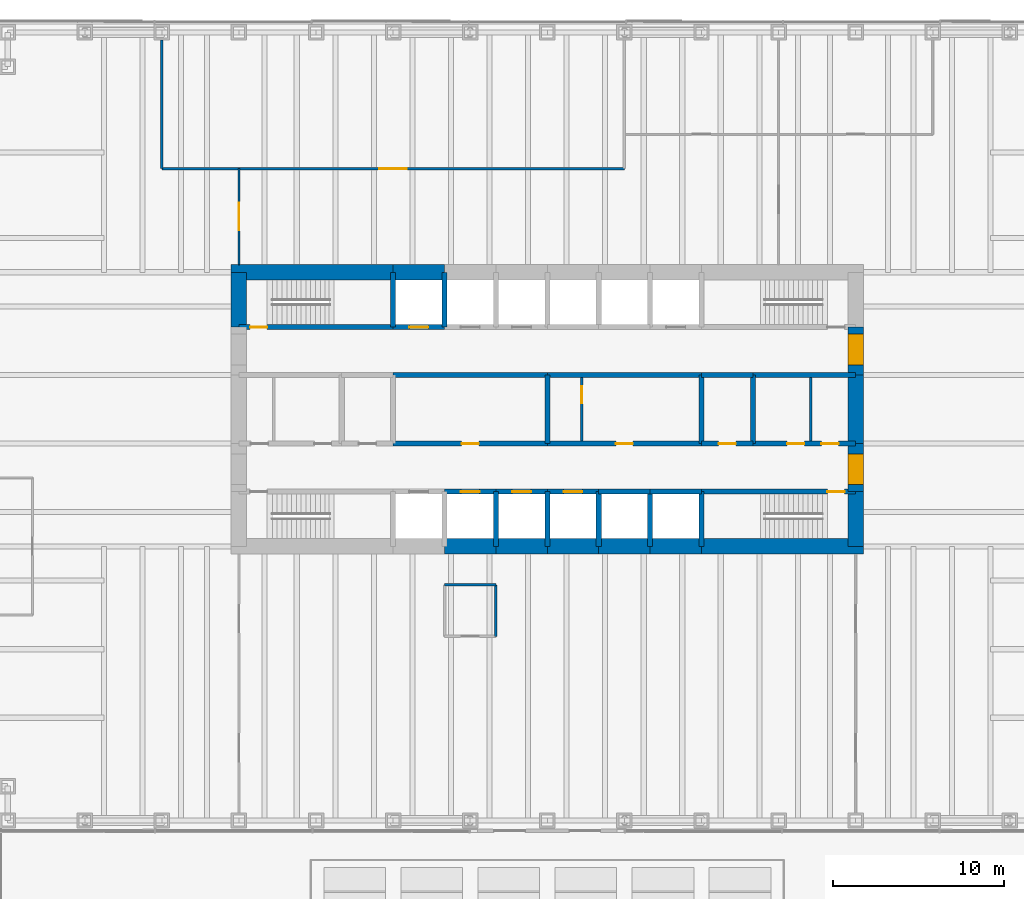
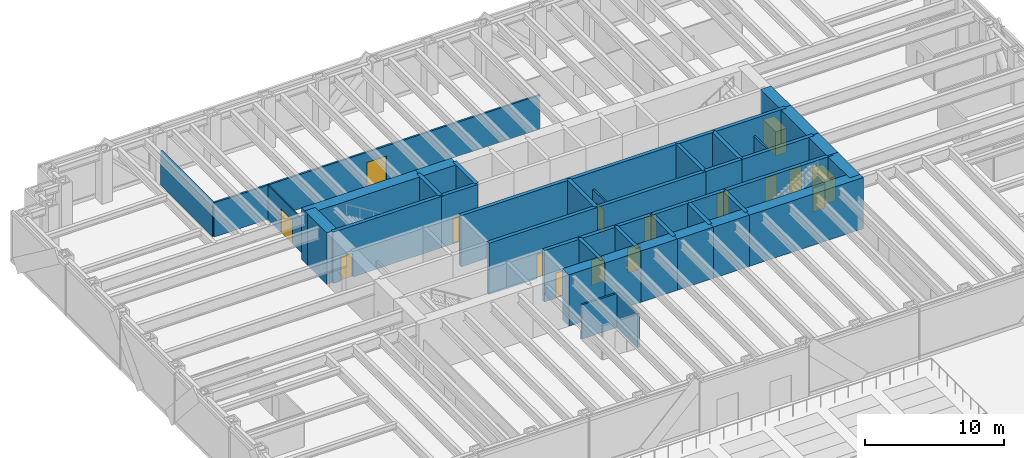
# One storey, part 12 of 15: 46 walls, 16 doors, 16 openings.
"""IFC4 building model written with IfcOpenShell, lengths in metres."""

import ifcopenshell
import ifcopenshell.guid

model = None  # the IFC model being written
_history = None  # IfcOwnerHistory: only IFC2X3 demands one
_inside = {}  # id of a spatial element -> (the spatial element, [elements in it])
_under = {}  # id of a project, library or spatial element -> (it, [spatial elements below it])
_declared = {}  # id of a project -> (the project, [libraries it declares])
_typed = {}  # id of a type object -> (the type object, [elements of that type])
_made_of = {}  # id of a material, layer set ... -> (it, [elements and type objects made of it])


def new_model(schema):
    """Start an empty IFC model of exactly this schema.

    Asked for "IFC4X3", IfcOpenShell would pick the latest addendum, in which some entities
    have other attributes; the version numbers below select the first issue.
    IFC2X3 requires an IfcOwnerHistory on every rooted entity: one is made here for all.
    """
    global model, _history
    if schema == "IFC4X3":
        model = ifcopenshell.file(schema_version=(4, 3, 0, 0))
    else:
        model = ifcopenshell.file(schema=schema)
    _inside.clear()
    _under.clear()
    _declared.clear()
    _typed.clear()
    _made_of.clear()
    _history = None
    if model.schema == "IFC2X3":
        org = make("IfcOrganization", Name="unknown")
        user = make(
            "IfcPersonAndOrganization",
            ThePerson=make("IfcPerson", FamilyName="unknown"),
            TheOrganization=org,
        )
        app = make(
            "IfcApplication",
            ApplicationDeveloper=org,
            Version="unknown",
            ApplicationFullName="unknown",
            ApplicationIdentifier="unknown",
        )
        _history = make(
            "IfcOwnerHistory",
            OwningUser=user,
            OwningApplication=app,
            ChangeAction="ADDED",
            CreationDate=0,
        )
    return model


def make(cls, **values):
    """One entity of the class cls with the attributes given. An attribute that is None is left unset."""
    return model.create_entity(
        cls, **{name: value for name, value in values.items() if value is not None}
    )


def rooted(cls, **values):
    """An entity with a GlobalId (a new one), such as an element, a storey or a relation."""
    return make(cls, GlobalId=ifcopenshell.guid.new(), OwnerHistory=_history, **values)


def si_unit(unit_type, name, prefix=None):
    """IfcSIUnit, for example si_unit("LENGTHUNIT", "METRE", prefix="MILLI")."""
    return make("IfcSIUnit", UnitType=unit_type, Prefix=prefix, Name=name)


def assignment(units):
    """IfcUnitAssignment: the units of a project."""
    return None if units is None else make("IfcUnitAssignment", Units=units)


def point(xyz):
    """IfcCartesianPoint."""
    return None if xyz is None else make("IfcCartesianPoint", Coordinates=xyz)


def direction(xyz):
    """IfcDirection."""
    return None if xyz is None else make("IfcDirection", DirectionRatios=xyz)


def frame(location, z_axis=None, x_axis=None):
    """IfcAxis2Placement3D, a coordinate frame: its origin and axes. An axis left out is left unset."""
    return make(
        "IfcAxis2Placement3D",
        Location=point(location),
        Axis=direction(z_axis),
        RefDirection=direction(x_axis),
    )


def frame_2d(location, x_axis=None):
    """IfcAxis2Placement2D, a coordinate frame in the plane: its origin and x axis."""
    return make(
        "IfcAxis2Placement2D", Location=point(location), RefDirection=direction(x_axis)
    )


def origin():
    """The frame at (0, 0, 0) with its axes left unset."""
    return frame((0.0, 0.0, 0.0))


def place(relative_to, where):
    """IfcLocalPlacement: puts the frame where relative to a parent placement (None: the world)."""
    return make(
        "IfcLocalPlacement", PlacementRelTo=relative_to, RelativePlacement=where
    )


def context(
    kind, dimensions, precision=None, world=None, true_north=None, identifier=None
):
    """IfcGeometricRepresentationContext, for example the 3D "Model" context."""
    return make(
        "IfcGeometricRepresentationContext",
        ContextIdentifier=identifier,
        ContextType=kind,
        CoordinateSpaceDimension=dimensions,
        Precision=precision,
        WorldCoordinateSystem=world,
        TrueNorth=true_north,
    )


def subcontext(parent, identifier, kind, view, scale=None):
    """IfcGeometricRepresentationSubContext, for example "Body" below "Model"."""
    return make(
        "IfcGeometricRepresentationSubContext",
        ContextIdentifier=identifier,
        ContextType=kind,
        ParentContext=parent,
        TargetScale=scale,
        TargetView=view,
    )


def project(units=None, contexts=None):
    """IfcProject with its units and contexts."""
    return rooted(
        "IfcProject",
        Name="project",
        RepresentationContexts=contexts,
        UnitsInContext=assignment(units),
    )


def spatial(cls, under=None, at=None, **own):
    """A site, building, storey or space (cls), placed at a placement, below another one or the project."""
    s = rooted(cls, ObjectPlacement=at, **own)
    if under is not None:
        _under.setdefault(under.id(), (under, []))[1].append(s)
    return s


def profile(cls, at=None, kind="AREA", **sizes):
    """A parametric profile (cls). Its sizes go by their IFC names, for example OverallWidth=200.0."""
    return make(cls, ProfileType=kind, Position=at, **sizes)


def rectangle(**sizes):
    """IfcRectangleProfileDef."""
    return profile("IfcRectangleProfileDef", **sizes)


def extrude(swept, where, along, depth):
    """IfcExtrudedAreaSolid: the profile swept, set in the frame where, extruded along a direction by depth."""
    return make(
        "IfcExtrudedAreaSolid",
        SweptArea=swept,
        Position=where,
        ExtrudedDirection=direction(along),
        Depth=depth,
    )


def shape(context_of_items, identifier, shape_type, items):
    """IfcShapeRepresentation: the items that make up one representation, for example the "Body"."""
    return make(
        "IfcShapeRepresentation",
        ContextOfItems=context_of_items,
        RepresentationIdentifier=identifier,
        RepresentationType=shape_type,
        Items=items,
    )


def material(Name=None, Category=None):
    """IfcMaterial."""
    return make("IfcMaterial", Name=Name, Category=Category)


def layer(
    of_material, thickness, ventilated=None, Name=None, Category=None, Priority=None
):
    """IfcMaterialLayer: one layer of a wall or slab, of a material (None: an air gap)."""
    return make(
        "IfcMaterialLayer",
        Material=of_material,
        LayerThickness=thickness,
        IsVentilated=ventilated,
        Name=Name,
        Category=Category,
        Priority=Priority,
    )


def layer_set(layers, Name=None):
    """IfcMaterialLayerSet."""
    return make("IfcMaterialLayerSet", MaterialLayers=layers, LayerSetName=Name)


def made_of(thing, what):
    """Note that an element or type object is made of a material, layer set ...; save() writes the relation."""
    if what is not None:
        _made_of.setdefault(what.id(), (what, []))[1].append(thing)
    return thing


def type_object(cls, material=None, **own):
    """A type object (cls), such as IfcWallType, which elements share."""
    return made_of(rooted(cls, **own), material)


def element(
    cls,
    number,
    at=None,
    inside=None,
    cuts=None,
    type_object=None,
    material=None,
    context=None,
    identifier="Body",
    shape_type=None,
    held_by="IfcProductDefinitionShape",
    body=None,
    shapes=None,
    **own,
):
    """One element of the class cls, such as IfcWall. Its Tag is "e" and its number.

    at: its placement. inside: the storey or other place that contains it. cuts: it is an
    opening in that element (IfcRelVoidsElement). A single representation is given by context,
    identifier, shape_type and body (its items); several are given by shapes. held_by: the class
    of the entity that holds the representations. save() writes the other relations.
    """
    e = rooted(cls, Tag="e%d" % number, ObjectPlacement=at, **own)
    if body is not None:
        shapes = [shape(context, identifier, shape_type, body)]
    if shapes is not None:
        e.Representation = make(held_by, Representations=shapes)
    if inside is not None:
        _inside.setdefault(inside.id(), (inside, []))[1].append(e)
    if cuts is not None:
        rooted(
            "IfcRelVoidsElement", RelatingBuildingElement=cuts, RelatedOpeningElement=e
        )
    if type_object is not None:
        _typed.setdefault(type_object.id(), (type_object, []))[1].append(e)
    return made_of(e, material)


def fill(opening, filler):
    """IfcRelFillsElement: the door or window that sits in an opening."""
    return rooted(
        "IfcRelFillsElement",
        RelatingOpeningElement=opening,
        RelatedBuildingElement=filler,
    )


def aggregate(whole, parts):
    """IfcRelAggregates: a whole, such as a stair, and the parts it consists of."""
    return rooted("IfcRelAggregates", RelatingObject=whole, RelatedObjects=parts)


def save(model, path):
    """Write the relations noted so far, then the file.

    IfcRelAggregates (storeys below a building ...), IfcRelContainedInSpatialStructure (elements
    in a storey), IfcRelDefinesByType, IfcRelAssociatesMaterial and IfcRelDeclares: one each for
    every whole, place, type object, material and project.
    """
    for whole, parts in _under.values():
        aggregate(whole, parts)
    for where, things in _inside.values():
        rooted(
            "IfcRelContainedInSpatialStructure",
            RelatedElements=things,
            RelatingStructure=where,
        )
    for kind, things in _typed.values():
        rooted("IfcRelDefinesByType", RelatedObjects=things, RelatingType=kind)
    for what, things in _made_of.values():
        rooted("IfcRelAssociatesMaterial", RelatedObjects=things, RelatingMaterial=what)
    for by, libraries in _declared.values():
        rooted("IfcRelDeclares", RelatingContext=by, RelatedDefinitions=libraries)
    model.write(path)


model = new_model("IFC4")

# Units and contexts
model_context = context("Model", 3, precision=1e-05, world=origin(), true_north=direction((0.0, 1.0)))
body_context = subcontext(model_context, "Body", "Model", "MODEL_VIEW")
ifc_project = project(units=[si_unit("LENGTHUNIT", "METRE"), si_unit("AREAUNIT", "SQUARE_METRE"), si_unit("VOLUMEUNIT", "CUBIC_METRE"), si_unit("PLANEANGLEUNIT", "RADIAN"), si_unit("MASSUNIT", "GRAM", prefix="KILO")], contexts=[model_context])

# Site, building, storey
site_placement = place(None, origin())
site = spatial("IfcSite", under=ifc_project, at=site_placement, CompositionType="ELEMENT")
building_placement = place(site_placement, origin())
building = spatial("IfcBuilding", under=site, at=building_placement, Name="Rheinbord Bourse Tower", CompositionType="ELEMENT")
storey_placement = place(building_placement, frame((0.0, 0.0, 23.0)))
storey = spatial("IfcBuildingStorey", under=building, at=storey_placement, Name="L04", CompositionType="ELEMENT", Elevation=23.0)

# Wall, opening, door
ifc_material_1 = material(Name="Concrete C50/60", Category="concrete")
ifc_layer_1 = layer(ifc_material_1, 0.300048828125)
ifc_layer_set_1 = layer_set([ifc_layer_1], Name="CORE INNER WALL 300")
wall_type_1 = type_object("IfcWallType", Name="CORE INNER WALL 300", PredefinedType="SOLIDWALL", material=ifc_layer_set_1)
wall_1_placement = place(storey_placement, frame((30.0, 19.199951171875, 0.0), z_axis=(0.0, 0.0, 1.0), x_axis=(1.0, 0.0, 0.0)))
wall_1 = element("IfcWall", 1, at=wall_1_placement, inside=storey, type_object=wall_type_1, Name="Core wall A3 L04", PredefinedType="SOLIDWALL", context=body_context, shape_type="SweptSolid", body=[
    extrude(rectangle(XDim=3.0, YDim=0.300048828125, at=frame_2d((1.5, 0.0))), origin(), (0.0, 0.0, 1.0), 4.5),
])
opening_1_placement = place(wall_1_placement, frame((0.949951171875, 0.0, 0.0)))
opening_1 = element("IfcOpeningElement", 2, at=opening_1_placement, cuts=wall_1, Name="Opening PA1", PredefinedType="OPENING", context=body_context, shape_type="SweptSolid", body=[
    extrude(rectangle(XDim=1.10009765625, YDim=2.199951171875, at=frame_2d((0.550048828125, 1.10009765625))), frame((0.0, 0.159912109375, 0.0), z_axis=(0.0, -1.0, 0.0), x_axis=(1.0, 0.0, 0.0)), (0.0, 0.0, 1.0), 0.320068359375),
])
ifc_material_2 = material(Name="Steel landing door", Category="steel")
door_type_1 = type_object("IfcDoorType", Name="LIFT LANDING DOOR 1100", OperationType="DOUBLE_DOOR_SLIDING", PredefinedType="USERDEFINED", material=ifc_material_2)
door_1_placement = place(opening_1_placement, origin())
door_1 = element("IfcDoor", 3, at=door_1_placement, inside=storey, type_object=door_type_1, Name="Lift landing door PA1 L04", ObjectType="LIFT LANDING DOOR", OperationType="DOUBLE_DOOR_SLIDING", OverallHeight=2.199951171875, OverallWidth=1.10009765625, PredefinedType="USERDEFINED", context=body_context, shape_type="SweptSolid", body=[
    extrude(rectangle(XDim=1.10009765625, YDim=2.199951171875, at=frame_2d((0.550048828125, 1.10009765625))), frame((0.0, 0.02490234375, 0.0), z_axis=(0.0, -1.0, 0.0), x_axis=(1.0, 0.0, 0.0)), (0.0, 0.0, 1.0), 0.050048828125),
])
fill(opening_1, door_1)

wall_2_placement = place(storey_placement, frame((33.0, 19.199951171875, 0.0), z_axis=(0.0, 0.0, 1.0), x_axis=(1.0, 0.0, 0.0)))
wall_2 = element("IfcWall", 4, at=wall_2_placement, inside=storey, type_object=wall_type_1, Name="Core wall A4 L04", PredefinedType="SOLIDWALL", context=body_context, shape_type="SweptSolid", body=[
    extrude(rectangle(XDim=3.0, YDim=0.300048828125, at=frame_2d((1.5, 0.0))), origin(), (0.0, 0.0, 1.0), 4.5),
])
opening_2_placement = place(wall_2_placement, frame((0.949951171875, 0.0, 0.0)))
opening_2 = element("IfcOpeningElement", 5, at=opening_2_placement, cuts=wall_2, Name="Opening PA2", PredefinedType="OPENING", context=body_context, shape_type="SweptSolid", body=[
    extrude(rectangle(XDim=1.10009765625, YDim=2.199951171875, at=frame_2d((0.550048828125, 1.10009765625))), frame((0.0, 0.159912109375, 0.0), z_axis=(0.0, -1.0, 0.0), x_axis=(1.0, 0.0, 0.0)), (0.0, 0.0, 1.0), 0.320068359375),
])
door_2_placement = place(opening_2_placement, origin())
door_2 = element("IfcDoor", 6, at=door_2_placement, inside=storey, type_object=door_type_1, Name="Lift landing door PA2 L04", ObjectType="LIFT LANDING DOOR", OperationType="DOUBLE_DOOR_SLIDING", OverallHeight=2.199951171875, OverallWidth=1.10009765625, PredefinedType="USERDEFINED", context=body_context, shape_type="SweptSolid", body=[
    extrude(rectangle(XDim=1.10009765625, YDim=2.199951171875, at=frame_2d((0.550048828125, 1.10009765625))), frame((0.0, 0.02490234375, 0.0), z_axis=(0.0, -1.0, 0.0), x_axis=(1.0, 0.0, 0.0)), (0.0, 0.0, 1.0), 0.050048828125),
])
fill(opening_2, door_2)

wall_3_placement = place(storey_placement, frame((36.0, 19.199951171875, 0.0), z_axis=(0.0, 0.0, 1.0), x_axis=(1.0, 0.0, 0.0)))
wall_3 = element("IfcWall", 7, at=wall_3_placement, inside=storey, type_object=wall_type_1, Name="Core wall A5 L04", PredefinedType="SOLIDWALL", context=body_context, shape_type="SweptSolid", body=[
    extrude(rectangle(XDim=3.0, YDim=0.300048828125, at=frame_2d((1.5, 0.0))), origin(), (0.0, 0.0, 1.0), 4.5),
])
opening_3_placement = place(wall_3_placement, frame((0.949951171875, 0.0, 0.0)))
opening_3 = element("IfcOpeningElement", 8, at=opening_3_placement, cuts=wall_3, Name="Opening PA3", PredefinedType="OPENING", context=body_context, shape_type="SweptSolid", body=[
    extrude(rectangle(XDim=1.10009765625, YDim=2.199951171875, at=frame_2d((0.550048828125, 1.10009765625))), frame((0.0, 0.159912109375, 0.0), z_axis=(0.0, -1.0, 0.0), x_axis=(1.0, 0.0, 0.0)), (0.0, 0.0, 1.0), 0.320068359375),
])
door_3_placement = place(opening_3_placement, origin())
door_3 = element("IfcDoor", 9, at=door_3_placement, inside=storey, type_object=door_type_1, Name="Lift landing door PA3 L04", ObjectType="LIFT LANDING DOOR", OperationType="DOUBLE_DOOR_SLIDING", OverallHeight=2.199951171875, OverallWidth=1.10009765625, PredefinedType="USERDEFINED", context=body_context, shape_type="SweptSolid", body=[
    extrude(rectangle(XDim=1.10009765625, YDim=2.199951171875, at=frame_2d((0.550048828125, 1.10009765625))), frame((0.0, 0.02490234375, 0.0), z_axis=(0.0, -1.0, 0.0), x_axis=(1.0, 0.0, 0.0)), (0.0, 0.0, 1.0), 0.050048828125),
])
fill(opening_3, door_3)

# Walls
for number, where, z_axis, x_axis, name in (
    (10, (39.0, 19.199951171875, 0.0), (0.0, 0.0, 1.0), (1.0, 0.0, 0.0), "Core wall A6 L04"),
    (11, (42.0, 19.199951171875, 0.0), (0.0, 0.0, 1.0), (1.0, 0.0, 0.0), "Core wall A7 L04"),
):
    element("IfcWall", number, at=place(storey_placement, frame(where, z_axis=z_axis, x_axis=x_axis)), inside=storey, type_object=wall_type_1, Name=name, PredefinedType="SOLIDWALL", context=body_context, shape_type="SweptSolid", body=[
        extrude(rectangle(XDim=3.0, YDim=0.300048828125, at=frame_2d((1.5, 0.0))), origin(), (0.0, 0.0, 1.0), 4.5),
    ])

# Wall, opening, door
wall_4_placement = place(storey_placement, frame((45.0, 19.199951171875, 0.0), z_axis=(0.0, 0.0, 1.0), x_axis=(1.0, 0.0, 0.0)))
wall_4 = element("IfcWall", 12, at=wall_4_placement, inside=storey, type_object=wall_type_1, Name="Core wall A8 L04", PredefinedType="SOLIDWALL", context=body_context, shape_type="SweptSolid", body=[
    extrude(rectangle(XDim=9.0, YDim=0.300048828125, at=frame_2d((4.5, 0.0))), origin(), (0.0, 0.0, 1.0), 4.5),
])
opening_4_placement = place(wall_4_placement, frame((7.35009765625, 0.0, 0.0)))
opening_4 = element("IfcOpeningElement", 13, at=opening_4_placement, cuts=wall_4, Name="Opening 0430", PredefinedType="OPENING", context=body_context, shape_type="SweptSolid", body=[
    extrude(rectangle(XDim=1.0, YDim=2.10009765625, at=frame_2d((0.5, 1.050048828125))), frame((0.0, 0.159912109375, 0.0), z_axis=(0.0, -1.0, 0.0), x_axis=(1.0, 0.0, 0.0)), (0.0, 0.0, 1.0), 0.320068359375),
])
ifc_material_3 = material(Name="Steel door", Category="steel")
door_type_2 = type_object("IfcDoorType", Name="DOOR 1000 EI30", OperationType="SINGLE_SWING_LEFT", PredefinedType="DOOR", material=ifc_material_3)
door_4_placement = place(opening_4_placement, origin())
door_4 = element("IfcDoor", 14, at=door_4_placement, inside=storey, type_object=door_type_2, Name="Stair door ST3 L04", OperationType="SINGLE_SWING_RIGHT", OverallHeight=2.10009765625, OverallWidth=1.0, PredefinedType="DOOR", context=body_context, shape_type="SweptSolid", body=[
    extrude(rectangle(XDim=1.0, YDim=2.10009765625, at=frame_2d((0.5, 1.050048828125))), frame((0.0, 0.02490234375, 0.0), z_axis=(0.0, -1.0, 0.0), x_axis=(1.0, 0.0, 0.0)), (0.0, 0.0, 1.0), 0.050048828125),
])
fill(opening_4, door_4)

wall_5_placement = place(storey_placement, frame((18.0, 28.800048828125, 0.0), z_axis=(0.0, 0.0, 1.0), x_axis=(1.0, 0.0, 0.0)))
wall_5 = element("IfcWall", 15, at=wall_5_placement, inside=storey, type_object=wall_type_1, Name="Core wall B1 L04", PredefinedType="SOLIDWALL", context=body_context, shape_type="SweptSolid", body=[
    extrude(rectangle(XDim=9.0, YDim=0.300048828125, at=frame_2d((4.5, 0.0))), origin(), (0.0, 0.0, 1.0), 4.5),
])
opening_5_placement = place(wall_5_placement, frame((0.64990234375, 0.0, 0.0)))
opening_5 = element("IfcOpeningElement", 16, at=opening_5_placement, cuts=wall_5, Name="Opening 0420", PredefinedType="OPENING", context=body_context, shape_type="SweptSolid", body=[
    extrude(rectangle(XDim=1.0, YDim=2.10009765625, at=frame_2d((0.5, 1.050048828125))), frame((0.0, 0.159912109375, 0.0), z_axis=(0.0, -1.0, 0.0), x_axis=(1.0, 0.0, 0.0)), (0.0, 0.0, 1.0), 0.320068359375),
])
door_5_placement = place(opening_5_placement, origin())
door_5 = element("IfcDoor", 17, at=door_5_placement, inside=storey, type_object=door_type_2, Name="Stair door ST2 L04", OperationType="SINGLE_SWING_LEFT", OverallHeight=2.10009765625, OverallWidth=1.0, PredefinedType="DOOR", context=body_context, shape_type="SweptSolid", body=[
    extrude(rectangle(XDim=1.0, YDim=2.10009765625, at=frame_2d((0.5, 1.050048828125))), frame((0.0, 0.02490234375, 0.0), z_axis=(0.0, -1.0, 0.0), x_axis=(1.0, 0.0, 0.0)), (0.0, 0.0, 1.0), 0.050048828125),
])
fill(opening_5, door_5)

wall_6_placement = place(storey_placement, frame((27.0, 28.800048828125, 0.0), z_axis=(0.0, 0.0, 1.0), x_axis=(1.0, 0.0, 0.0)))
wall_6 = element("IfcWall", 18, at=wall_6_placement, inside=storey, type_object=wall_type_1, Name="Core wall B2 L04", PredefinedType="SOLIDWALL", context=body_context, shape_type="SweptSolid", body=[
    extrude(rectangle(XDim=3.0, YDim=0.300048828125, at=frame_2d((1.5, 0.0))), origin(), (0.0, 0.0, 1.0), 4.5),
])
opening_6_placement = place(wall_6_placement, frame((0.949951171875, 0.0, 0.0)))
opening_6 = element("IfcOpeningElement", 19, at=opening_6_placement, cuts=wall_6, Name="Opening GL1", PredefinedType="OPENING", context=body_context, shape_type="SweptSolid", body=[
    extrude(rectangle(XDim=1.10009765625, YDim=2.199951171875, at=frame_2d((0.550048828125, 1.10009765625))), frame((0.0, 0.159912109375, 0.0), z_axis=(0.0, -1.0, 0.0), x_axis=(1.0, 0.0, 0.0)), (0.0, 0.0, 1.0), 0.320068359375),
])
door_6_placement = place(opening_6_placement, origin())
door_6 = element("IfcDoor", 20, at=door_6_placement, inside=storey, type_object=door_type_1, Name="Lift landing door GL1 L04", ObjectType="LIFT LANDING DOOR", OperationType="DOUBLE_DOOR_SLIDING", OverallHeight=2.199951171875, OverallWidth=1.10009765625, PredefinedType="USERDEFINED", context=body_context, shape_type="SweptSolid", body=[
    extrude(rectangle(XDim=1.10009765625, YDim=2.199951171875, at=frame_2d((0.550048828125, 1.10009765625))), frame((0.0, 0.02490234375, 0.0), z_axis=(0.0, -1.0, 0.0), x_axis=(1.0, 0.0, 0.0)), (0.0, 0.0, 1.0), 0.050048828125),
])
fill(opening_6, door_6)

wall_7_placement = place(storey_placement, frame((27.0, 22.0, 0.0), z_axis=(0.0, 0.0, 1.0), x_axis=(1.0, 0.0, 0.0)))
wall_7 = element("IfcWall", 21, at=wall_7_placement, inside=storey, type_object=wall_type_1, Name="Core wall C3 L04", PredefinedType="SOLIDWALL", context=body_context, shape_type="SweptSolid", body=[
    extrude(rectangle(XDim=9.0, YDim=0.300048828125, at=frame_2d((4.5, 0.0))), origin(), (0.0, 0.0, 1.0), 4.5),
])
opening_7_placement = place(wall_7_placement, frame((4.0, 0.0, 0.0)))
opening_7 = element("IfcOpeningElement", 22, at=opening_7_placement, cuts=wall_7, Name="Opening 04R3", PredefinedType="OPENING", context=body_context, shape_type="SweptSolid", body=[
    extrude(rectangle(XDim=1.0, YDim=2.10009765625, at=frame_2d((0.5, 1.050048828125))), frame((0.0, 0.159912109375, 0.0), z_axis=(0.0, -1.0, 0.0), x_axis=(1.0, 0.0, 0.0)), (0.0, 0.0, 1.0), 0.320068359375),
])
door_7_placement = place(opening_7_placement, origin())
door_7 = element("IfcDoor", 23, at=door_7_placement, inside=storey, type_object=door_type_2, Name="Riser door L04", OperationType="SINGLE_SWING_LEFT", OverallHeight=2.10009765625, OverallWidth=1.0, PredefinedType="DOOR", context=body_context, shape_type="SweptSolid", body=[
    extrude(rectangle(XDim=1.0, YDim=2.10009765625, at=frame_2d((0.5, 1.050048828125))), frame((0.0, 0.02490234375, 0.0), z_axis=(0.0, -1.0, 0.0), x_axis=(1.0, 0.0, 0.0)), (0.0, 0.0, 1.0), 0.050048828125),
])
fill(opening_7, door_7)

wall_8_placement = place(storey_placement, frame((36.0, 22.0, 0.0), z_axis=(0.0, 0.0, 1.0), x_axis=(1.0, 0.0, 0.0)))
wall_8 = element("IfcWall", 24, at=wall_8_placement, inside=storey, type_object=wall_type_1, Name="Core wall C4 L04", PredefinedType="SOLIDWALL", context=body_context, shape_type="SweptSolid", body=[
    extrude(rectangle(XDim=9.0, YDim=0.300048828125, at=frame_2d((4.5, 0.0))), origin(), (0.0, 0.0, 1.0), 4.5),
])
opening_8_placement = place(wall_8_placement, frame((4.0, 0.0, 0.0)))
opening_8 = element("IfcOpeningElement", 25, at=opening_8_placement, cuts=wall_8, Name="Opening 04R4", PredefinedType="OPENING", context=body_context, shape_type="SweptSolid", body=[
    extrude(rectangle(XDim=1.0, YDim=2.10009765625, at=frame_2d((0.5, 1.050048828125))), frame((0.0, 0.159912109375, 0.0), z_axis=(0.0, -1.0, 0.0), x_axis=(1.0, 0.0, 0.0)), (0.0, 0.0, 1.0), 0.320068359375),
])
door_8_placement = place(opening_8_placement, origin())
door_8 = element("IfcDoor", 26, at=door_8_placement, inside=storey, type_object=door_type_2, Name="Staff locker room door L04", OperationType="SINGLE_SWING_LEFT", OverallHeight=2.10009765625, OverallWidth=1.0, PredefinedType="DOOR", context=body_context, shape_type="SweptSolid", body=[
    extrude(rectangle(XDim=1.0, YDim=2.10009765625, at=frame_2d((0.5, 1.050048828125))), frame((0.0, 0.02490234375, 0.0), z_axis=(0.0, -1.0, 0.0), x_axis=(1.0, 0.0, 0.0)), (0.0, 0.0, 1.0), 0.050048828125),
])
fill(opening_8, door_8)

wall_9_placement = place(storey_placement, frame((45.0, 22.0, 0.0), z_axis=(0.0, 0.0, 1.0), x_axis=(1.0, 0.0, 0.0)))
wall_9 = element("IfcWall", 27, at=wall_9_placement, inside=storey, type_object=wall_type_1, Name="Core wall C5 L04", PredefinedType="SOLIDWALL", context=body_context, shape_type="SweptSolid", body=[
    extrude(rectangle(XDim=3.0, YDim=0.300048828125, at=frame_2d((1.5, 0.0))), origin(), (0.0, 0.0, 1.0), 4.5),
])
opening_9_placement = place(wall_9_placement, frame((1.0, 0.0, 0.0)))
opening_9 = element("IfcOpeningElement", 28, at=opening_9_placement, cuts=wall_9, Name="Opening 04R5", PredefinedType="OPENING", context=body_context, shape_type="SweptSolid", body=[
    extrude(rectangle(XDim=1.0, YDim=2.10009765625, at=frame_2d((0.5, 1.050048828125))), frame((0.0, 0.159912109375, 0.0), z_axis=(0.0, -1.0, 0.0), x_axis=(1.0, 0.0, 0.0)), (0.0, 0.0, 1.0), 0.320068359375),
])
ifc_material_4 = material(Name="Timber door", Category="wood")
door_type_3 = type_object("IfcDoorType", Name="DOOR 1000 WC", OperationType="SINGLE_SWING_LEFT", PredefinedType="DOOR", material=ifc_material_4)
door_9_placement = place(opening_9_placement, origin())
door_9 = element("IfcDoor", 29, at=door_9_placement, inside=storey, type_object=door_type_3, Name="Accessible WC door L04", OperationType="SINGLE_SWING_LEFT", OverallHeight=2.10009765625, OverallWidth=1.0, PredefinedType="DOOR", context=body_context, shape_type="SweptSolid", body=[
    extrude(rectangle(XDim=1.0, YDim=2.10009765625, at=frame_2d((0.5, 1.050048828125))), frame((0.0, 0.02490234375, 0.0), z_axis=(0.0, -1.0, 0.0), x_axis=(1.0, 0.0, 0.0)), (0.0, 0.0, 1.0), 0.050048828125),
])
fill(opening_9, door_9)

# Wall, openings, doors
wall_10_placement = place(storey_placement, frame((48.0, 22.0, 0.0), z_axis=(0.0, 0.0, 1.0), x_axis=(1.0, 0.0, 0.0)))
wall_10 = element("IfcWall", 30, at=wall_10_placement, inside=storey, type_object=wall_type_1, Name="Core wall C6 L04", PredefinedType="SOLIDWALL", context=body_context, shape_type="SweptSolid", body=[
    extrude(rectangle(XDim=6.0, YDim=0.300048828125, at=frame_2d((3.0, 0.0))), origin(), (0.0, 0.0, 1.0), 4.5),
])
opening_10_placement = place(wall_10_placement, frame((2.0, 0.0, 0.0)))
opening_10 = element("IfcOpeningElement", 31, at=opening_10_placement, cuts=wall_10, Name="Opening 04R6", PredefinedType="OPENING", context=body_context, shape_type="SweptSolid", body=[
    extrude(rectangle(XDim=1.0, YDim=2.10009765625, at=frame_2d((0.5, 1.050048828125))), frame((0.0, 0.159912109375, 0.0), z_axis=(0.0, -1.0, 0.0), x_axis=(1.0, 0.0, 0.0)), (0.0, 0.0, 1.0), 0.320068359375),
])
opening_11_placement = place(wall_10_placement, frame((4.0, 0.0, 0.0)))
opening_11 = element("IfcOpeningElement", 32, at=opening_11_placement, cuts=wall_10, Name="Opening 04R10", PredefinedType="OPENING", context=body_context, shape_type="SweptSolid", body=[
    extrude(rectangle(XDim=1.0, YDim=2.10009765625, at=frame_2d((0.5, 1.050048828125))), frame((0.0, 0.159912109375, 0.0), z_axis=(0.0, -1.0, 0.0), x_axis=(1.0, 0.0, 0.0)), (0.0, 0.0, 1.0), 0.320068359375),
])
door_10_placement = place(opening_11_placement, origin())
door_10 = element("IfcDoor", 33, at=door_10_placement, inside=storey, type_object=door_type_2, Name="Cleaner's store door L04", OperationType="SINGLE_SWING_RIGHT", OverallHeight=2.10009765625, OverallWidth=1.0, PredefinedType="DOOR", context=body_context, shape_type="SweptSolid", body=[
    extrude(rectangle(XDim=1.0, YDim=2.10009765625, at=frame_2d((0.5, 1.050048828125))), frame((0.0, 0.02490234375, 0.0), z_axis=(0.0, -1.0, 0.0), x_axis=(1.0, 0.0, 0.0)), (0.0, 0.0, 1.0), 0.050048828125),
])
fill(opening_11, door_10)
door_11_placement = place(opening_10_placement, origin())
door_11 = element("IfcDoor", 34, at=door_11_placement, inside=storey, type_object=door_type_3, Name="WC women door L04", OperationType="SINGLE_SWING_LEFT", OverallHeight=2.10009765625, OverallWidth=1.0, PredefinedType="DOOR", context=body_context, shape_type="SweptSolid", body=[
    extrude(rectangle(XDim=1.0, YDim=2.10009765625, at=frame_2d((0.5, 1.050048828125))), frame((0.0, 0.02490234375, 0.0), z_axis=(0.0, -1.0, 0.0), x_axis=(1.0, 0.0, 0.0)), (0.0, 0.0, 1.0), 0.050048828125),
])
fill(opening_10, door_11)

# Walls
for number, where, z_axis, x_axis, name in (
    (35, (27.0, 26.0, 0.0), (0.0, 0.0, 1.0), (1.0, 0.0, 0.0), "Core wall D3 L04"),
    (36, (36.0, 26.0, 0.0), (0.0, 0.0, 1.0), (1.0, 0.0, 0.0), "Core wall D4 L04"),
):
    element("IfcWall", number, at=place(storey_placement, frame(where, z_axis=z_axis, x_axis=x_axis)), inside=storey, type_object=wall_type_1, Name=name, PredefinedType="SOLIDWALL", context=body_context, shape_type="SweptSolid", body=[
        extrude(rectangle(XDim=9.0, YDim=0.300048828125, at=frame_2d((4.5, 0.0))), origin(), (0.0, 0.0, 1.0), 4.5),
    ])
wall_11_placement = place(storey_placement, frame((45.0, 26.0, 0.0), z_axis=(0.0, 0.0, 1.0), x_axis=(1.0, 0.0, 0.0)))
element("IfcWall", 37, at=wall_11_placement, inside=storey, type_object=wall_type_1, Name="Core wall D5 L04", PredefinedType="SOLIDWALL", context=body_context, shape_type="SweptSolid", body=[
    extrude(rectangle(XDim=3.0, YDim=0.300048828125, at=frame_2d((1.5, 0.0))), origin(), (0.0, 0.0, 1.0), 4.5),
])
wall_12_placement = place(storey_placement, frame((48.0, 26.0, 0.0), z_axis=(0.0, 0.0, 1.0), x_axis=(1.0, 0.0, 0.0)))
element("IfcWall", 38, at=wall_12_placement, inside=storey, type_object=wall_type_1, Name="Core wall D6 L04", PredefinedType="SOLIDWALL", context=body_context, shape_type="SweptSolid", body=[
    extrude(rectangle(XDim=6.0, YDim=0.300048828125, at=frame_2d((3.0, 0.0))), origin(), (0.0, 0.0, 1.0), 4.5),
])
for number, where, z_axis, x_axis, name in (
    (39, (27.0, 28.800048828125, 0.0), (0.0, 0.0, 1.0), (0.0, 1.0, 0.0), "Core wall NX27 L04"),
    (40, (30.0, 28.800048828125, 0.0), (0.0, 0.0, 1.0), (0.0, 1.0, 0.0), "Core wall NX30 L04"),
    (41, (33.0, 16.0, 0.0), (0.0, 0.0, 1.0), (0.0, 1.0, 0.0), "Core wall SX33 L04"),
    (42, (36.0, 16.0, 0.0), (0.0, 0.0, 1.0), (0.0, 1.0, 0.0), "Core wall SX36 L04"),
    (43, (39.0, 16.0, 0.0), (0.0, 0.0, 1.0), (0.0, 1.0, 0.0), "Core wall SX39 L04"),
    (44, (42.0, 16.0, 0.0), (0.0, 0.0, 1.0), (0.0, 1.0, 0.0), "Core wall SX42 L04"),
    (45, (45.0, 16.0, 0.0), (0.0, 0.0, 1.0), (0.0, 1.0, 0.0), "Core wall SX45 L04"),
):
    element("IfcWall", number, at=place(storey_placement, frame(where, z_axis=z_axis, x_axis=x_axis)), inside=storey, type_object=wall_type_1, Name=name, PredefinedType="SOLIDWALL", context=body_context, shape_type="SweptSolid", body=[
        extrude(rectangle(XDim=3.199951171875, YDim=0.300048828125, at=frame_2d((1.60009765625, 0.0))), origin(), (0.0, 0.0, 1.0), 4.5),
    ])
for number, where, z_axis, x_axis, name in (
    (46, (36.0, 22.0, 0.0), (0.0, 0.0, 1.0), (0.0, 1.0, 0.0), "Core wall MX36 L04"),
    (47, (45.0, 22.0, 0.0), (0.0, 0.0, 1.0), (0.0, 1.0, 0.0), "Core wall MX45 L04"),
    (48, (48.0, 22.0, 0.0), (0.0, 0.0, 1.0), (0.0, 1.0, 0.0), "Core wall MX48 L04"),
):
    element("IfcWall", number, at=place(storey_placement, frame(where, z_axis=z_axis, x_axis=x_axis)), inside=storey, type_object=wall_type_1, Name=name, PredefinedType="SOLIDWALL", context=body_context, shape_type="SweptSolid", body=[
        extrude(rectangle(XDim=4.0, YDim=0.300048828125, at=frame_2d((2.0, 0.0))), origin(), (0.0, 0.0, 1.0), 4.5),
    ])

# Wall, opening, door
ifc_material_5 = material(Name="Gypsum board fire partition", Category="gypsum board")
ifc_layer_2 = layer(ifc_material_5, 0.14990234375)
ifc_layer_set_2 = layer_set([ifc_layer_2], Name="CORE PARTITION 150 EI30")
wall_type_2 = type_object("IfcWallType", Name="CORE PARTITION 150 EI30", PredefinedType="PARTITIONING", material=ifc_layer_set_2)
wall_13_placement = place(storey_placement, frame((38.0, 22.14990234375, 0.0), z_axis=(0.0, 0.0, 1.0), x_axis=(0.0, 1.0, 0.0)))
wall_13 = element("IfcWall", 49, at=wall_13_placement, inside=storey, type_object=wall_type_2, Name="Core partition L04-1", PredefinedType="PARTITIONING", context=body_context, shape_type="SweptSolid", body=[
    extrude(rectangle(XDim=3.7001953125, YDim=0.14990234375, at=frame_2d((1.85009765625, 0.0))), origin(), (0.0, 0.0, 1.0), 3.0),
])
opening_12_placement = place(wall_13_placement, frame((2.199951171875, 0.0, 0.0)))
opening_12 = element("IfcOpeningElement", 50, at=opening_12_placement, cuts=wall_13, Name="Opening 04R7", PredefinedType="OPENING", context=body_context, shape_type="SweptSolid", body=[
    extrude(rectangle(XDim=1.0, YDim=2.10009765625, at=frame_2d((0.5, 1.050048828125))), frame((0.0, 0.0849609375, 0.0), z_axis=(0.0, -1.0, 0.0), x_axis=(1.0, 0.0, 0.0)), (0.0, 0.0, 1.0), 0.169921875),
])
door_12_placement = place(opening_12_placement, origin())
door_12 = element("IfcDoor", 51, at=door_12_placement, inside=storey, type_object=door_type_2, Name="Staff shower door L04", OperationType="SINGLE_SWING_RIGHT", OverallHeight=2.10009765625, OverallWidth=1.0, PredefinedType="DOOR", context=body_context, shape_type="SweptSolid", body=[
    extrude(rectangle(XDim=1.0, YDim=2.10009765625, at=frame_2d((0.5, 1.050048828125))), frame((0.0, 0.02490234375, 0.0), z_axis=(0.0, -1.0, 0.0), x_axis=(1.0, 0.0, 0.0)), (0.0, 0.0, 1.0), 0.050048828125),
])
fill(opening_12, door_12)

# Walls
wall_14_placement = place(storey_placement, frame((51.375, 22.14990234375, 0.0), z_axis=(0.0, 0.0, 1.0), x_axis=(0.0, 1.0, 0.0)))
element("IfcWall", 52, at=wall_14_placement, inside=storey, type_object=wall_type_2, Name="Core partition L04-3", PredefinedType="PARTITIONING", context=body_context, shape_type="SweptSolid", body=[
    extrude(rectangle(XDim=3.7001953125, YDim=0.14990234375, at=frame_2d((1.85009765625, 0.0))), origin(), (0.0, 0.0, 1.0), 3.0),
])
ifc_material_6 = material(Name="Concrete C50/60", Category="concrete")
ifc_layer_3 = layer(ifc_material_6, 0.89990234375)
ifc_layer_set_3 = layer_set([ifc_layer_3], Name="CORE WALL 900")
wall_type_3 = type_object("IfcWallType", Name="CORE WALL 900", PredefinedType="SHEAR", material=ifc_layer_set_3)
for number, where, z_axis, x_axis, name in (
    (53, (30.0, 16.0, 0.0), (0.0, 0.0, 1.0), (1.0, 0.0, 0.0), "Core wall S3 L04"),
    (54, (33.0, 16.0, 0.0), (0.0, 0.0, 1.0), (1.0, 0.0, 0.0), "Core wall S4 L04"),
    (55, (36.0, 16.0, 0.0), (0.0, 0.0, 1.0), (1.0, 0.0, 0.0), "Core wall S5 L04"),
    (56, (39.0, 16.0, 0.0), (0.0, 0.0, 1.0), (1.0, 0.0, 0.0), "Core wall S6 L04"),
    (57, (42.0, 16.0, 0.0), (0.0, 0.0, 1.0), (1.0, 0.0, 0.0), "Core wall S7 L04"),
):
    element("IfcWall", number, at=place(storey_placement, frame(where, z_axis=z_axis, x_axis=x_axis)), inside=storey, type_object=wall_type_3, Name=name, PredefinedType="SHEAR", context=body_context, shape_type="SweptSolid", body=[
        extrude(rectangle(XDim=3.0, YDim=0.89990234375, at=frame_2d((1.5, 0.0))), origin(), (0.0, 0.0, 1.0), 4.5),
    ])
wall_15_placement = place(storey_placement, frame((45.0, 16.0, 0.0), z_axis=(0.0, 0.0, 1.0), x_axis=(1.0, 0.0, 0.0)))
element("IfcWall", 58, at=wall_15_placement, inside=storey, type_object=wall_type_3, Name="Core wall S8 L04", PredefinedType="SHEAR", context=body_context, shape_type="SweptSolid", body=[
    extrude(rectangle(XDim=9.449951171875, YDim=0.89990234375, at=frame_2d((4.72509765625, 0.0))), origin(), (0.0, 0.0, 1.0), 4.5),
])
wall_16_placement = place(storey_placement, frame((30.0, 32.0, 0.0), z_axis=(0.0, 0.0, 1.0), x_axis=(-1.0, 0.0, 0.0)))
element("IfcWall", 59, at=wall_16_placement, inside=storey, type_object=wall_type_3, Name="Core wall N7 L04", PredefinedType="SHEAR", context=body_context, shape_type="SweptSolid", body=[
    extrude(rectangle(XDim=3.0, YDim=0.89990234375, at=frame_2d((1.5, 0.0))), origin(), (0.0, 0.0, 1.0), 4.5),
])
wall_17_placement = place(storey_placement, frame((27.0, 32.0, 0.0), z_axis=(0.0, 0.0, 1.0), x_axis=(-1.0, 0.0, 0.0)))
element("IfcWall", 60, at=wall_17_placement, inside=storey, type_object=wall_type_3, Name="Core wall N8 L04", PredefinedType="SHEAR", context=body_context, shape_type="SweptSolid", body=[
    extrude(rectangle(XDim=9.449951171875, YDim=0.89990234375, at=frame_2d((4.72509765625, 0.0))), origin(), (0.0, 0.0, 1.0), 4.5),
])
for number, where, z_axis, x_axis, name in (
    (61, (18.0, 32.0, 0.0), (0.0, 0.0, 1.0), (0.0, -1.0, 0.0), "Core wall W1 L04"),
    (62, (54.0, 16.0, 0.0), (0.0, 0.0, 1.0), (0.0, 1.0, 0.0), "Core wall E1 L04"),
):
    element("IfcWall", number, at=place(storey_placement, frame(where, z_axis=z_axis, x_axis=x_axis)), inside=storey, type_object=wall_type_3, Name=name, PredefinedType="SHEAR", context=body_context, shape_type="SweptSolid", body=[
        extrude(rectangle(XDim=3.199951171875, YDim=0.89990234375, at=frame_2d((1.60009765625, 0.0))), origin(), (0.0, 0.0, 1.0), 4.5),
    ])

# Wall, opening, door
wall_18_placement = place(storey_placement, frame((54.0, 19.199951171875, 0.0), z_axis=(0.0, 0.0, 1.0), x_axis=(0.0, 1.0, 0.0)))
wall_18 = element("IfcWall", 63, at=wall_18_placement, inside=storey, type_object=wall_type_3, Name="Core wall E2 L04", PredefinedType="SHEAR", context=body_context, shape_type="SweptSolid", body=[
    extrude(rectangle(XDim=2.800048828125, YDim=0.89990234375, at=frame_2d((1.39990234375, 0.0))), origin(), (0.0, 0.0, 1.0), 4.5),
])
opening_13_placement = place(wall_18_placement, frame((0.39990234375, 0.0, 0.0)))
opening_13 = element("IfcOpeningElement", 64, at=opening_13_placement, cuts=wall_18, Name="Opening 04L3", PredefinedType="OPENING", context=body_context, shape_type="SweptSolid", body=[
    extrude(rectangle(XDim=1.800048828125, YDim=2.10009765625, at=frame_2d((0.89990234375, 1.050048828125))), frame((0.0, 0.4599609375, 0.0), z_axis=(0.0, -1.0, 0.0), x_axis=(1.0, 0.0, 0.0)), (0.0, 0.0, 1.0), 0.919921875),
])
ifc_material_7 = material(Name="Steel door", Category="steel")
door_type_4 = type_object("IfcDoorType", Name="DOOR 1800 EI30 DOUBLE", OperationType="DOUBLE_DOOR_DOUBLE_SWING", PredefinedType="DOOR", material=ifc_material_7)
door_13_placement = place(opening_13_placement, origin())
door_13 = element("IfcDoor", 65, at=door_13_placement, inside=storey, type_object=door_type_4, Name="Lobby door 3 L04", OperationType="SINGLE_SWING_LEFT", OverallHeight=2.10009765625, OverallWidth=1.800048828125, PredefinedType="DOOR", context=body_context, shape_type="SweptSolid", body=[
    extrude(rectangle(XDim=1.800048828125, YDim=2.10009765625, at=frame_2d((0.89990234375, 1.050048828125))), frame((0.0, 0.44970703125, 0.0), z_axis=(0.0, -1.0, 0.0), x_axis=(1.0, 0.0, 0.0)), (0.0, 0.0, 1.0), 0.8994140625),
])
fill(opening_13, door_13)

# Wall
wall_19_placement = place(storey_placement, frame((54.0, 22.0, 0.0), z_axis=(0.0, 0.0, 1.0), x_axis=(0.0, 1.0, 0.0)))
element("IfcWall", 66, at=wall_19_placement, inside=storey, type_object=wall_type_3, Name="Core wall E3 L04", PredefinedType="SHEAR", context=body_context, shape_type="SweptSolid", body=[
    extrude(rectangle(XDim=4.0, YDim=0.89990234375, at=frame_2d((2.0, 0.0))), origin(), (0.0, 0.0, 1.0), 4.5),
])

# Wall, opening, door
wall_20_placement = place(storey_placement, frame((54.0, 26.0, 0.0), z_axis=(0.0, 0.0, 1.0), x_axis=(0.0, 1.0, 0.0)))
wall_20 = element("IfcWall", 67, at=wall_20_placement, inside=storey, type_object=wall_type_3, Name="Core wall E4 L04", PredefinedType="SHEAR", context=body_context, shape_type="SweptSolid", body=[
    extrude(rectangle(XDim=2.800048828125, YDim=0.89990234375, at=frame_2d((1.39990234375, 0.0))), origin(), (0.0, 0.0, 1.0), 4.5),
])
opening_14_placement = place(wall_20_placement, frame((0.60009765625, 0.0, 0.0)))
opening_14 = element("IfcOpeningElement", 68, at=opening_14_placement, cuts=wall_20, Name="Opening 04L4", PredefinedType="OPENING", context=body_context, shape_type="SweptSolid", body=[
    extrude(rectangle(XDim=1.800048828125, YDim=2.10009765625, at=frame_2d((0.89990234375, 1.050048828125))), frame((0.0, 0.4599609375, 0.0), z_axis=(0.0, -1.0, 0.0), x_axis=(1.0, 0.0, 0.0)), (0.0, 0.0, 1.0), 0.919921875),
])
door_14_placement = place(opening_14_placement, origin())
door_14 = element("IfcDoor", 69, at=door_14_placement, inside=storey, type_object=door_type_4, Name="Lobby door 4 L04", OperationType="SINGLE_SWING_LEFT", OverallHeight=2.10009765625, OverallWidth=1.800048828125, PredefinedType="DOOR", context=body_context, shape_type="SweptSolid", body=[
    extrude(rectangle(XDim=1.800048828125, YDim=2.10009765625, at=frame_2d((0.89990234375, 1.050048828125))), frame((0.0, 0.44970703125, 0.0), z_axis=(0.0, -1.0, 0.0), x_axis=(1.0, 0.0, 0.0)), (0.0, 0.0, 1.0), 0.8994140625),
])
fill(opening_14, door_14)

ifc_material_8 = material(Name="Toughened laminated glass partition", Category="glass")
ifc_layer_4 = layer(ifc_material_8, 0.10009765625)
ifc_layer_set_4 = layer_set([ifc_layer_4], Name="GLAZED PARTITION 100")
wall_type_4 = type_object("IfcWallType", Name="GLAZED PARTITION 100", PredefinedType="PARTITIONING", material=ifc_layer_set_4)
wall_21_placement = place(storey_placement, frame((18.0, 32.449951171875, 0.0), z_axis=(0.0, 0.0, 1.0), x_axis=(0.0, 1.0, 0.0)))
wall_21 = element("IfcWall", 70, at=wall_21_placement, inside=storey, type_object=wall_type_4, Name="Partition L04-14", PredefinedType="PARTITIONING", context=body_context, shape_type="SweptSolid", body=[
    extrude(rectangle(XDim=5.60009765625, YDim=0.10009765625, at=frame_2d((2.800048828125, 0.0))), origin(), (0.0, 0.0, 1.0), 3.0),
])
opening_15_placement = place(wall_21_placement, frame((2.0, 0.0, 0.0)))
opening_15 = element("IfcOpeningElement", 71, at=opening_15_placement, cuts=wall_21, Name="Opening 04D10", PredefinedType="OPENING", context=body_context, shape_type="SweptSolid", body=[
    extrude(rectangle(XDim=1.60009765625, YDim=2.10009765625, at=frame_2d((0.800048828125, 1.050048828125))), frame((0.0, 0.06005859375, 0.0), z_axis=(0.0, -1.0, 0.0), x_axis=(1.0, 0.0, 0.0)), (0.0, 0.0, 1.0), 0.1201171875),
])
ifc_material_9 = material(Name="Timber door", Category="wood")
door_type_5 = type_object("IfcDoorType", Name="DOUBLE ROOM DOOR 1600", OperationType="DOUBLE_DOOR_DOUBLE_SWING", PredefinedType="DOOR", material=ifc_material_9)
door_15_placement = place(opening_15_placement, origin())
door_15 = element("IfcDoor", 72, at=door_15_placement, inside=storey, type_object=door_type_5, Name="Open area door L04", OperationType="SINGLE_SWING_LEFT", OverallHeight=2.10009765625, OverallWidth=1.60009765625, PredefinedType="DOOR", context=body_context, shape_type="SweptSolid", body=[
    extrude(rectangle(XDim=1.60009765625, YDim=2.10009765625, at=frame_2d((0.800048828125, 1.050048828125))), frame((0.0, 0.02490234375, 0.0), z_axis=(0.0, -1.0, 0.0), x_axis=(1.0, 0.0, 0.0)), (0.0, 0.0, 1.0), 0.050048828125),
])
fill(opening_15, door_15)

# Wall
ifc_material_10 = material(Name="Gypsum board partition", Category="gypsum board")
ifc_layer_5 = layer(ifc_material_10, 0.14990234375)
ifc_layer_set_5 = layer_set([ifc_layer_5], Name="PARTITION 150")
wall_type_5 = type_object("IfcWallType", Name="PARTITION 150", PredefinedType="PARTITIONING", material=ifc_layer_set_5)
wall_22_placement = place(storey_placement, frame((30.0, 13.75, 0.0), z_axis=(0.0, 0.0, 1.0), x_axis=(1.0, 0.0, 0.0)))
element("IfcWall", 73, at=wall_22_placement, inside=storey, type_object=wall_type_5, Name="Partition L04-03", PredefinedType="PARTITIONING", context=body_context, shape_type="SweptSolid", body=[
    extrude(rectangle(XDim=3.0, YDim=0.14990234375, at=frame_2d((1.5, 0.0))), origin(), (0.0, 0.0, 1.0), 3.0),
])

# Wall, opening, door
wall_23_placement = place(storey_placement, frame((13.5, 38.050048828125, 0.0), z_axis=(0.0, 0.0, 1.0), x_axis=(1.0, 0.0, 0.0)))
wall_23 = element("IfcWall", 74, at=wall_23_placement, inside=storey, type_object=wall_type_5, Name="Partition L04-09", PredefinedType="PARTITIONING", context=body_context, shape_type="SweptSolid", body=[
    extrude(rectangle(XDim=27.0, YDim=0.14990234375, at=frame_2d((13.5, 0.0))), origin(), (0.0, 0.0, 1.0), 3.0),
])
opening_16_placement = place(wall_23_placement, frame((12.699951171875, 0.0, 0.0)))
opening_16 = element("IfcOpeningElement", 75, at=opening_16_placement, cuts=wall_23, Name="Opening 04D05", PredefinedType="OPENING", context=body_context, shape_type="SweptSolid", body=[
    extrude(rectangle(XDim=1.60009765625, YDim=2.10009765625, at=frame_2d((0.800048828125, 1.050048828125))), frame((0.0, 0.0849609375, 0.0), z_axis=(0.0, -1.0, 0.0), x_axis=(1.0, 0.0, 0.0)), (0.0, 0.0, 1.0), 0.169921875),
])
door_16_placement = place(opening_16_placement, origin())
door_16 = element("IfcDoor", 76, at=door_16_placement, inside=storey, type_object=door_type_5, Name="Members lounge door L04", OperationType="SINGLE_SWING_LEFT", OverallHeight=2.10009765625, OverallWidth=1.60009765625, PredefinedType="DOOR", context=body_context, shape_type="SweptSolid", body=[
    extrude(rectangle(XDim=1.60009765625, YDim=2.10009765625, at=frame_2d((0.800048828125, 1.050048828125))), frame((0.0, 0.02490234375, 0.0), z_axis=(0.0, -1.0, 0.0), x_axis=(1.0, 0.0, 0.0)), (0.0, 0.0, 1.0), 0.050048828125),
])
fill(opening_16, door_16)

# Walls
wall_24_placement = place(storey_placement, frame((13.5, 38.050048828125, 0.0), z_axis=(0.0, 0.0, 1.0), x_axis=(0.0, 1.0, 0.0)))
element("IfcWall", 77, at=wall_24_placement, inside=storey, type_object=wall_type_5, Name="Partition L04-12", PredefinedType="PARTITIONING", context=body_context, shape_type="SweptSolid", body=[
    extrude(rectangle(XDim=7.5, YDim=0.14990234375, at=frame_2d((3.75, 0.0))), origin(), (0.0, 0.0, 1.0), 3.0),
])
wall_25_placement = place(storey_placement, frame((33.0, 10.75, 0.0), z_axis=(0.0, 0.0, 1.0), x_axis=(0.0, 1.0, 0.0)))
element("IfcWall", 78, at=wall_25_placement, inside=storey, type_object=wall_type_5, Name="Partition L04-16", PredefinedType="PARTITIONING", context=body_context, shape_type="SweptSolid", body=[
    extrude(rectangle(XDim=3.0, YDim=0.14990234375, at=frame_2d((1.5, 0.0))), origin(), (0.0, 0.0, 1.0), 3.0),
])

save(model, "model.ifc")
